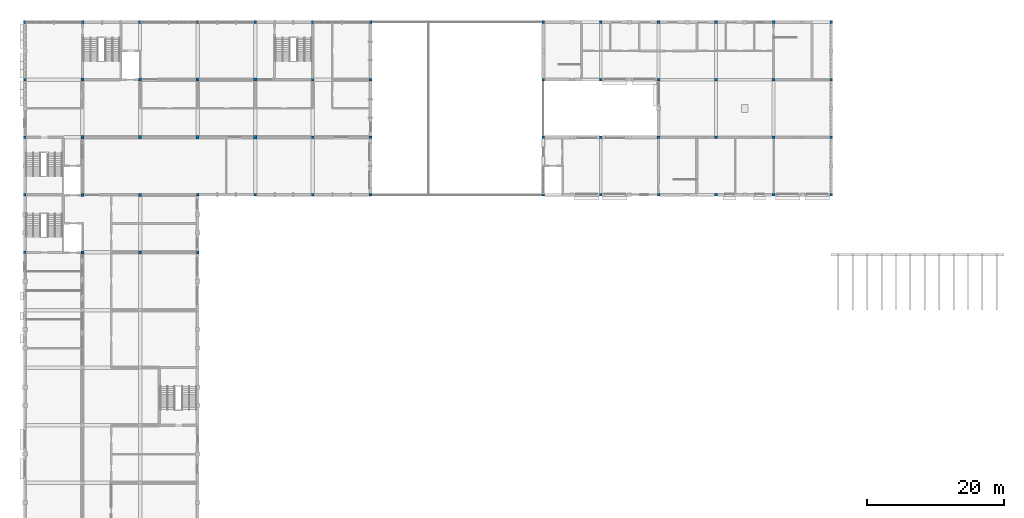
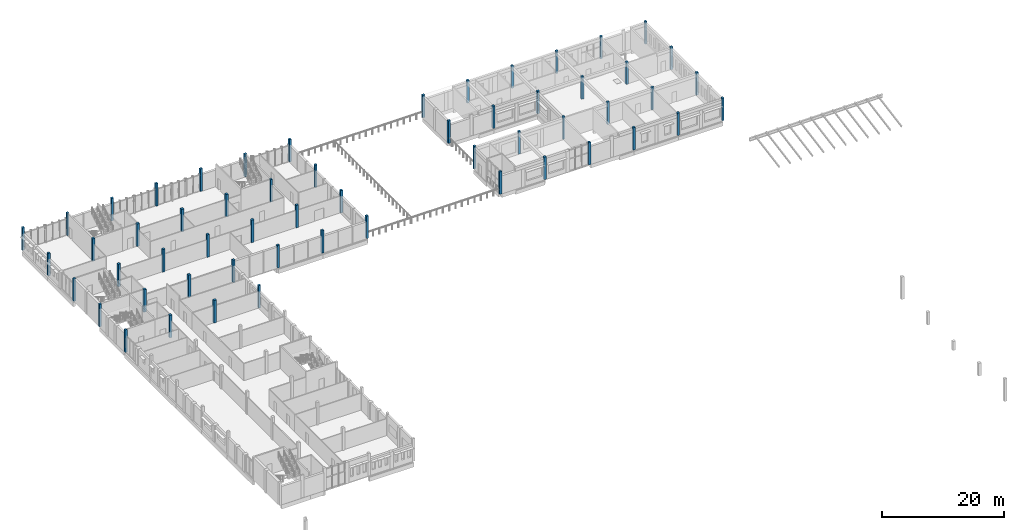
# One storey, part 2 of 30: 56 columns.
"""IFC4 building model written with IfcOpenShell, lengths in metres."""

from ifc_helpers import new_model, si_unit, direction, frame, origin, origin_2d, place, context, subcontext, project, spatial, rectangle, extrude, material, material_profile, profile_set, type_object, element, save


model = new_model("IFC4")

# Units and contexts
model_context = context("Model", 3, precision=1e-05, world=origin(), true_north=direction((0.0, 1.0)))
body_context = subcontext(model_context, "Body", "Model", "MODEL_VIEW")
ifc_project = project(units=[si_unit("LENGTHUNIT", "METRE"), si_unit("AREAUNIT", "SQUARE_METRE"), si_unit("VOLUMEUNIT", "CUBIC_METRE"), si_unit("PLANEANGLEUNIT", "RADIAN"), si_unit("MASSUNIT", "GRAM", prefix="KILO")], contexts=[model_context])

# Site, building, storey
site_placement = place(None, origin())
site = spatial("IfcSite", under=ifc_project, at=site_placement, CompositionType="ELEMENT")
building_placement = place(site_placement, origin())
building = spatial("IfcBuilding", under=site, at=building_placement, Name="Fescue Hill Polytechnic", CompositionType="ELEMENT")
storey_placement = place(building_placement, frame((0.0, 0.0, 22.5)))
storey = spatial("IfcBuildingStorey", under=building, at=storey_placement, Name="L05", CompositionType="ELEMENT", Elevation=22.5)

# Columns
ifc_material = material(Name="Concrete 40 MPa", Category="concrete")
ifc_material_profile_1 = material_profile(ifc_material, rectangle(XDim=0.39990234375, YDim=0.39990234375, at=origin_2d()), Name="RC 400x400")
ifc_profile_set_1 = profile_set([ifc_material_profile_1], Name="Concrete 40 MPa")
column_type_1 = type_object("IfcColumnType", Name="Column RC 400x400", PredefinedType="COLUMN", material=ifc_profile_set_1)
for number, where, z_axis, x_axis, name in (
    (1, (0.0, 100.800048828125, 0.0), (0.0, 0.0, 1.0), (1.0, 0.0, 0.0), "COL-L05-V4-007"),
    (2, (0.0, 109.199951171875, 0.0), (0.0, 0.0, 1.0), (1.0, 0.0, 0.0), "COL-L05-V4-008"),
    (3, (25.199951171875, 100.800048828125, 0.0), (0.0, 0.0, 1.0), (1.0, 0.0, 0.0), "COL-L05-V4-031"),
    (4, (25.199951171875, 109.199951171875, 0.0), (0.0, 0.0, 1.0), (1.0, 0.0, 0.0), "COL-L05-V4-032"),
    (5, (0.0, 117.60009765625, 0.0), (0.0, 0.0, 1.0), (1.0, 0.0, 0.0), "COL-L05-V5-001"),
    (6, (0.0, 126.0, 0.0), (0.0, 0.0, 1.0), (1.0, 0.0, 0.0), "COL-L05-V5-002"),
    (7, (0.0, 134.39990234375, 0.0), (0.0, 0.0, 1.0), (1.0, 0.0, 0.0), "COL-L05-V5-003"),
    (8, (8.39990234375, 134.39990234375, 0.0), (0.0, 0.0, 1.0), (1.0, 0.0, 0.0), "COL-L05-V5-006"),
    (9, (16.800048828125, 134.39990234375, 0.0), (0.0, 0.0, 1.0), (1.0, 0.0, 0.0), "COL-L05-V5-009"),
    (10, (25.199951171875, 134.39990234375, 0.0), (0.0, 0.0, 1.0), (1.0, 0.0, 0.0), "COL-L05-V5-012"),
    (11, (33.60009765625, 109.199951171875, 0.0), (0.0, 0.0, 1.0), (1.0, 0.0, 0.0), "COL-L05-V5-013"),
    (12, (33.60009765625, 134.39990234375, 0.0), (0.0, 0.0, 1.0), (1.0, 0.0, 0.0), "COL-L05-V5-016"),
    (13, (42.0, 109.199951171875, 0.0), (0.0, 0.0, 1.0), (1.0, 0.0, 0.0), "COL-L05-V5-017"),
    (14, (42.0, 117.60009765625, 0.0), (0.0, 0.0, 1.0), (1.0, 0.0, 0.0), "COL-L05-V5-018"),
    (15, (42.0, 126.0, 0.0), (0.0, 0.0, 1.0), (1.0, 0.0, 0.0), "COL-L05-V5-019"),
    (16, (42.0, 134.39990234375, 0.0), (0.0, 0.0, 1.0), (1.0, 0.0, 0.0), "COL-L05-V5-020"),
    (17, (50.39990234375, 109.199951171875, 0.0), (0.0, 0.0, 1.0), (1.0, 0.0, 0.0), "COL-L05-V5-021"),
    (18, (50.39990234375, 117.60009765625, 0.0), (0.0, 0.0, 1.0), (1.0, 0.0, 0.0), "COL-L05-V5-022"),
    (19, (50.39990234375, 126.0, 0.0), (0.0, 0.0, 1.0), (1.0, 0.0, 0.0), "COL-L05-V5-023"),
    (20, (50.39990234375, 134.39990234375, 0.0), (0.0, 0.0, 1.0), (1.0, 0.0, 0.0), "COL-L05-V5-024"),
    (21, (75.60009765625, 109.199951171875, 0.0), (0.0, 0.0, 1.0), (1.0, 0.0, 0.0), "COL-L05-V4b-001"),
    (22, (75.60009765625, 117.60009765625, 0.0), (0.0, 0.0, 1.0), (1.0, 0.0, 0.0), "COL-L05-V4b-002"),
    (23, (75.60009765625, 126.0, 0.0), (0.0, 0.0, 1.0), (1.0, 0.0, 0.0), "COL-L05-V4b-003"),
    (24, (75.60009765625, 134.39990234375, 0.0), (0.0, 0.0, 1.0), (1.0, 0.0, 0.0), "COL-L05-V4b-004"),
    (25, (84.0, 109.199951171875, 0.0), (0.0, 0.0, 1.0), (1.0, 0.0, 0.0), "COL-L05-V4b-005"),
    (26, (84.0, 117.60009765625, 0.0), (0.0, 0.0, 1.0), (1.0, 0.0, 0.0), "COL-L05-V4b-006"),
    (27, (84.0, 126.0, 0.0), (0.0, 0.0, 1.0), (1.0, 0.0, 0.0), "COL-L05-V4b-007"),
    (28, (84.0, 134.39990234375, 0.0), (0.0, 0.0, 1.0), (1.0, 0.0, 0.0), "COL-L05-V4b-008"),
    (29, (92.39990234375, 109.199951171875, 0.0), (0.0, 0.0, 1.0), (1.0, 0.0, 0.0), "COL-L05-V4b-009"),
    (30, (92.39990234375, 117.60009765625, 0.0), (0.0, 0.0, 1.0), (1.0, 0.0, 0.0), "COL-L05-V4b-010"),
    (31, (92.39990234375, 126.0, 0.0), (0.0, 0.0, 1.0), (1.0, 0.0, 0.0), "COL-L05-V4b-011"),
    (32, (92.39990234375, 134.39990234375, 0.0), (0.0, 0.0, 1.0), (1.0, 0.0, 0.0), "COL-L05-V4b-012"),
    (33, (100.800048828125, 109.199951171875, 0.0), (0.0, 0.0, 1.0), (1.0, 0.0, 0.0), "COL-L05-V4b-013"),
    (34, (100.800048828125, 117.60009765625, 0.0), (0.0, 0.0, 1.0), (1.0, 0.0, 0.0), "COL-L05-V4b-014"),
    (35, (100.800048828125, 126.0, 0.0), (0.0, 0.0, 1.0), (1.0, 0.0, 0.0), "COL-L05-V4b-015"),
    (36, (100.800048828125, 134.39990234375, 0.0), (0.0, 0.0, 1.0), (1.0, 0.0, 0.0), "COL-L05-V4b-016"),
    (37, (109.199951171875, 109.199951171875, 0.0), (0.0, 0.0, 1.0), (1.0, 0.0, 0.0), "COL-L05-V4b-017"),
    (38, (109.199951171875, 117.60009765625, 0.0), (0.0, 0.0, 1.0), (1.0, 0.0, 0.0), "COL-L05-V4b-018"),
    (39, (109.199951171875, 126.0, 0.0), (0.0, 0.0, 1.0), (1.0, 0.0, 0.0), "COL-L05-V4b-019"),
    (40, (109.199951171875, 134.39990234375, 0.0), (0.0, 0.0, 1.0), (1.0, 0.0, 0.0), "COL-L05-V4b-020"),
    (41, (117.60009765625, 109.199951171875, 0.0), (0.0, 0.0, 1.0), (1.0, 0.0, 0.0), "COL-L05-V4b-021"),
    (42, (117.60009765625, 117.60009765625, 0.0), (0.0, 0.0, 1.0), (1.0, 0.0, 0.0), "COL-L05-V4b-022"),
    (43, (117.60009765625, 126.0, 0.0), (0.0, 0.0, 1.0), (1.0, 0.0, 0.0), "COL-L05-V4b-023"),
    (44, (117.60009765625, 134.39990234375, 0.0), (0.0, 0.0, 1.0), (1.0, 0.0, 0.0), "COL-L05-V4b-024"),
):
    element("IfcColumn", number, at=place(storey_placement, frame(where, z_axis=z_axis, x_axis=x_axis)), inside=storey, type_object=column_type_1, Name=name, PredefinedType="COLUMN", context=body_context, shape_type="SweptSolid", body=[
        extrude(rectangle(XDim=0.39990234375, YDim=0.39990234375, at=origin_2d()), origin(), (0.0, 0.0, 1.0), 4.5),
    ])
ifc_material_profile_2 = material_profile(ifc_material, rectangle(XDim=0.449951171875, YDim=0.449951171875, at=origin_2d()), Name="RC 450x450")
ifc_profile_set_2 = profile_set([ifc_material_profile_2], Name="Concrete 40 MPa")
column_type_2 = type_object("IfcColumnType", Name="Column RC 450x450", PredefinedType="COLUMN", material=ifc_profile_set_2)
for number, where, z_axis, x_axis, name in (
    (45, (8.39990234375, 100.800048828125, 0.0), (0.0, 0.0, 1.0), (1.0, 0.0, 0.0), "COL-L05-V4-015"),
    (46, (8.39990234375, 109.199951171875, 0.0), (0.0, 0.0, 1.0), (1.0, 0.0, 0.0), "COL-L05-V4-016"),
    (47, (16.800048828125, 100.800048828125, 0.0), (0.0, 0.0, 1.0), (1.0, 0.0, 0.0), "COL-L05-V4-023"),
    (48, (16.800048828125, 109.199951171875, 0.0), (0.0, 0.0, 1.0), (1.0, 0.0, 0.0), "COL-L05-V4-024"),
    (49, (8.39990234375, 117.60009765625, 0.0), (0.0, 0.0, 1.0), (1.0, 0.0, 0.0), "COL-L05-V5-004"),
    (50, (8.39990234375, 126.0, 0.0), (0.0, 0.0, 1.0), (1.0, 0.0, 0.0), "COL-L05-V5-005"),
    (51, (16.800048828125, 117.60009765625, 0.0), (0.0, 0.0, 1.0), (1.0, 0.0, 0.0), "COL-L05-V5-007"),
    (52, (16.800048828125, 126.0, 0.0), (0.0, 0.0, 1.0), (1.0, 0.0, 0.0), "COL-L05-V5-008"),
    (53, (25.199951171875, 117.60009765625, 0.0), (0.0, 0.0, 1.0), (1.0, 0.0, 0.0), "COL-L05-V5-010"),
    (54, (25.199951171875, 126.0, 0.0), (0.0, 0.0, 1.0), (1.0, 0.0, 0.0), "COL-L05-V5-011"),
    (55, (33.60009765625, 117.60009765625, 0.0), (0.0, 0.0, 1.0), (1.0, 0.0, 0.0), "COL-L05-V5-014"),
    (56, (33.60009765625, 126.0, 0.0), (0.0, 0.0, 1.0), (1.0, 0.0, 0.0), "COL-L05-V5-015"),
):
    element("IfcColumn", number, at=place(storey_placement, frame(where, z_axis=z_axis, x_axis=x_axis)), inside=storey, type_object=column_type_2, Name=name, PredefinedType="COLUMN", context=body_context, shape_type="SweptSolid", body=[
        extrude(rectangle(XDim=0.449951171875, YDim=0.449951171875, at=origin_2d()), origin(), (0.0, 0.0, 1.0), 4.5),
    ])

save(model, "model.ifc")
